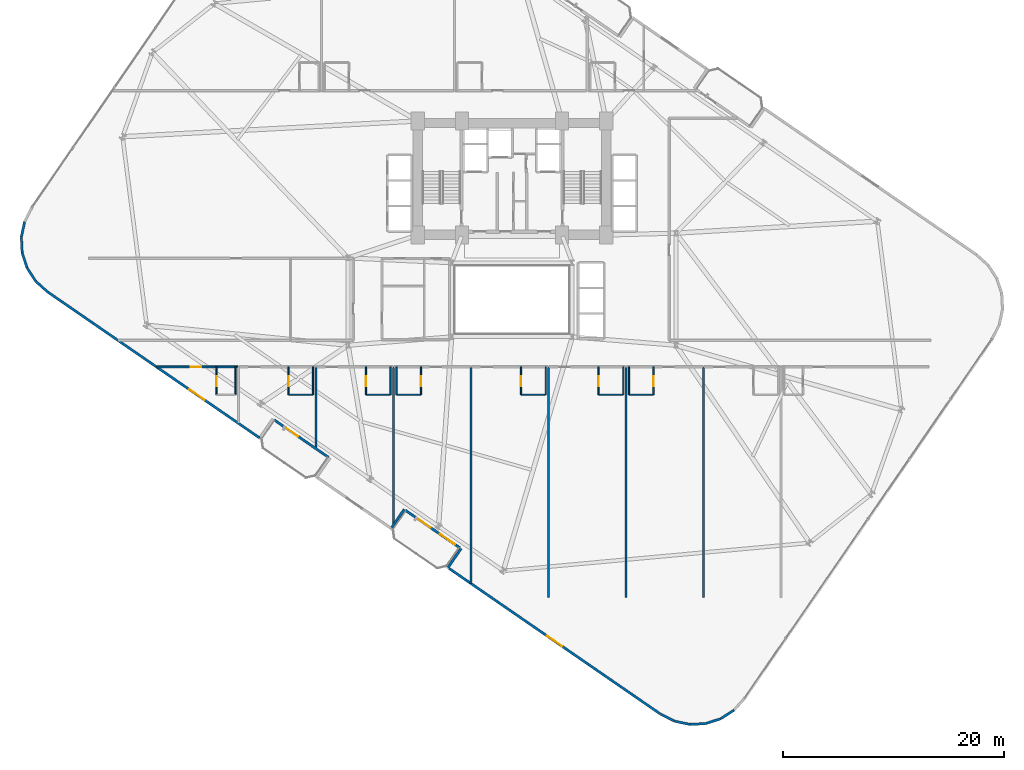
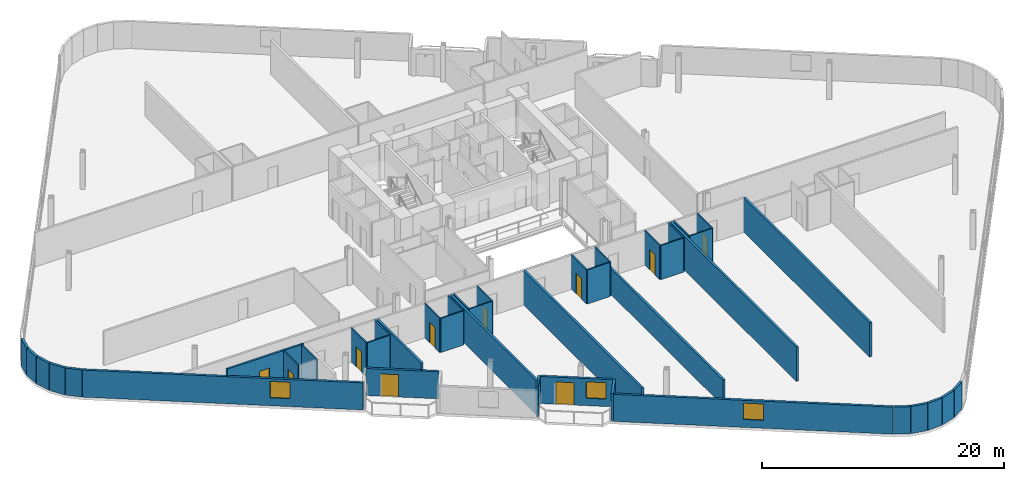
# One storey, part 17 of 25: 43 walls, 10 doors, 3 windows, 13 openings.
"""IFC4 building model written with IfcOpenShell, lengths in metres."""

from ifc_helpers import new_model, si_unit, direction, frame, frame_2d, origin, place, context, subcontext, project, spatial, rectangle, extrude, material, layer, layer_set, type_object, element, fill, save


model = new_model("IFC4")

# Units and contexts
model_context = context("Model", 3, precision=1e-05, world=origin(), true_north=direction((0.0, 1.0)))
body_context = subcontext(model_context, "Body", "Model", "MODEL_VIEW")
ifc_project = project(units=[si_unit("LENGTHUNIT", "METRE"), si_unit("AREAUNIT", "SQUARE_METRE"), si_unit("VOLUMEUNIT", "CUBIC_METRE"), si_unit("PLANEANGLEUNIT", "RADIAN"), si_unit("MASSUNIT", "GRAM", prefix="KILO")], contexts=[model_context])

# Site, building, storey
site_placement = place(None, origin())
site = spatial("IfcSite", under=ifc_project, at=site_placement, CompositionType="ELEMENT")
building_placement = place(site_placement, origin())
building = spatial("IfcBuilding", under=site, at=building_placement, Name="Varnelok Gate Tower", CompositionType="ELEMENT")
storey_placement = place(building_placement, frame((0.0, 0.0, 52.89990234375)))
storey = spatial("IfcBuildingStorey", under=building, at=storey_placement, Name="L12", CompositionType="ELEMENT", Elevation=52.89990234375)

# Wall, opening, door
ifc_material_1 = material(Name="Concrete C45/55", Category="concrete")
ifc_layer_1 = layer(ifc_material_1, 0.219970703125)
ifc_layer_set_1 = layer_set([ifc_layer_1], Name="Concrete C45/55")
wall_type_1 = type_object("IfcWallType", Name="EW-BALC-220", PredefinedType="SOLIDWALL", material=ifc_layer_set_1)
wall_1_placement = place(storey_placement, frame((22.642822265625, 8.667236328125, 0.0), z_axis=(0.0, 0.0, 1.0), x_axis=(-0.823534636215, 0.567265989598, 0.0)))
wall_1 = element("IfcWall", 1, at=wall_1_placement, inside=storey, type_object=wall_type_1, Name="L12 South Terrace Envelope Wall 1", PredefinedType="SOLIDWALL", context=body_context, shape_type="SweptSolid", body=[
    extrude(rectangle(XDim=6.0, YDim=0.219970703125, at=frame_2d((3.0, 0.0))), origin(), (0.0, 0.0, 1.0), 2.72998046875),
])
opening_1_placement = place(wall_1_placement, frame((3.360107421875, 0.0, 0.0)))
opening_1 = element("IfcOpeningElement", 2, at=opening_1_placement, cuts=wall_1, Name="Opening BD-1", PredefinedType="OPENING", context=body_context, shape_type="SweptSolid", body=[
    extrude(rectangle(XDim=1.5, YDim=2.25, at=frame_2d((0.75, 1.125))), frame((0.0, 0.119873046875, 0.0), z_axis=(0.0, -1.0, 0.0), x_axis=(1.0, 0.0, 0.0)), (0.0, 0.0, 1.0), 0.239990234375),
])
ifc_material_2 = material(Name="Anodized Aluminum Alloy 6063-T6", Category="aluminium")
door_type_1 = type_object("IfcDoorType", Name="DR-EXT-BALC1500", OperationType="NOTDEFINED", PredefinedType="DOOR", material=ifc_material_2)
door_1_placement = place(opening_1_placement, origin())
door_1 = element("IfcDoor", 3, at=door_1_placement, inside=storey, type_object=door_type_1, Name="L12 South Balcony Glazed Door 1", OperationType="SINGLE_SWING_RIGHT", OverallHeight=2.25, OverallWidth=1.5, PredefinedType="DOOR", context=body_context, shape_type="SweptSolid", body=[
    extrude(rectangle(XDim=1.5, YDim=2.25, at=frame_2d((0.75, 1.125))), frame((0.0, 0.02490234375, 0.0), z_axis=(0.0, -1.0, 0.0), x_axis=(1.0, 0.0, 0.0)), (0.0, 0.0, 1.0), 0.050048828125),
])
fill(opening_1, door_1)

# Wall, openings, door, window
wall_2_placement = place(storey_placement, frame((34.501708984375, 0.49853515625, 0.0), z_axis=(0.0, 0.0, 1.0), x_axis=(-0.823534636215, 0.567265989598, 0.0)))
wall_2 = element("IfcWall", 4, at=wall_2_placement, inside=storey, type_object=wall_type_1, Name="L12 South Terrace Envelope Wall 2", PredefinedType="SOLIDWALL", context=body_context, shape_type="SweptSolid", body=[
    extrude(rectangle(XDim=6.0, YDim=0.219970703125, at=frame_2d((3.0, 0.0))), origin(), (0.0, 0.0, 1.0), 2.72998046875),
])
opening_2_placement = place(wall_2_placement, frame((3.2119140625, 0.0, 0.0)))
opening_2 = element("IfcOpeningElement", 5, at=opening_2_placement, cuts=wall_2, Name="Opening BD-1", PredefinedType="OPENING", context=body_context, shape_type="SweptSolid", body=[
    extrude(rectangle(XDim=1.5, YDim=2.25, at=frame_2d((0.75, 1.125))), frame((0.0, 0.119873046875, 0.0), z_axis=(0.0, -1.0, 0.0), x_axis=(1.0, 0.0, 0.0)), (0.0, 0.0, 1.0), 0.239990234375),
])
opening_3_placement = place(wall_2_placement, frame((0.550048828125, 0.0, 0.75)))
opening_3 = element("IfcOpeningElement", 6, at=opening_3_placement, cuts=wall_2, Name="Opening WN3", PredefinedType="OPENING", context=body_context, shape_type="SweptSolid", body=[
    extrude(rectangle(XDim=1.64990234375, YDim=1.64990234375, at=frame_2d((0.824951171875, 0.824951171875))), frame((0.0, 0.119873046875, 0.0), z_axis=(0.0, -1.0, 0.0), x_axis=(1.0, 0.0, 0.0)), (0.0, 0.0, 1.0), 0.239990234375),
])
door_2_placement = place(opening_2_placement, origin())
door_2 = element("IfcDoor", 7, at=door_2_placement, inside=storey, type_object=door_type_1, Name="L12 South Balcony Glazed Door 2", OperationType="SINGLE_SWING_LEFT", OverallHeight=2.25, OverallWidth=1.5, PredefinedType="DOOR", context=body_context, shape_type="SweptSolid", body=[
    extrude(rectangle(XDim=1.5, YDim=2.25, at=frame_2d((0.75, 1.125))), frame((0.0, 0.02490234375, 0.0), z_axis=(0.0, -1.0, 0.0), x_axis=(1.0, 0.0, 0.0)), (0.0, 0.0, 1.0), 0.050048828125),
])
fill(opening_2, door_2)
ifc_material_3 = material(Name="Low-E Laminated Double Glazing IGU", Category="glass")
window_type = type_object("IfcWindowType", Name="WN-HTL-1650", PartitioningType="SINGLE_PANEL", PredefinedType="WINDOW", material=ifc_material_3)
window_1_placement = place(opening_3_placement, origin())
window_1 = element("IfcWindow", 8, at=window_1_placement, inside=storey, type_object=window_type, Name="L12 South Vision Window 2.1", OverallHeight=1.64990234375, OverallWidth=1.64990234375, PartitioningType="SINGLE_PANEL", PredefinedType="WINDOW", context=body_context, shape_type="SweptSolid", body=[
    extrude(rectangle(XDim=1.64990234375, YDim=1.64990234375, at=frame_2d((0.824951171875, 0.824951171875))), frame((0.0, 0.030029296875, 0.0), z_axis=(0.0, -1.0, 0.0), x_axis=(1.0, 0.0, 0.0)), (0.0, 0.0, 1.0), 0.06005859375),
])
fill(opening_3, window_1)

# Walls
for number, where, z_axis, x_axis, name in (
    (9, (-4.81396484375, 29.946533203125, 0.0), (0.0, 0.0, 1.0), (-0.208829011645, -0.977952168511, 0.0), "L12 Perimeter Facade Closure Wall 2"),
    (10, (-5.106201171875, 28.547119140625, 0.0), (0.0, 0.0, 1.0), (0.051254741739, -0.998685611917, 0.0), "L12 Perimeter Facade Closure Wall 3"),
    (11, (-5.026611328125, 27.1201171875, 0.0), (0.0, 0.0, 1.0), (0.308190297603, -0.95132472924, 0.0), "L12 Perimeter Facade Closure Wall 4"),
    (12, (-4.580078125, 25.76220703125, 0.0), (0.0, 0.0, 1.0), (0.543748195851, -0.839248413468, 0.0), "L12 Perimeter Facade Closure Wall 5"),
):
    element("IfcWall", number, at=place(storey_placement, frame(where, z_axis=z_axis, x_axis=x_axis)), inside=storey, type_object=wall_type_1, Name=name, PredefinedType="SOLIDWALL", context=body_context, shape_type="SweptSolid", body=[
        extrude(rectangle(XDim=1.4052734375, YDim=0.219970703125, at=frame_2d((0.70263671875, 0.0))), origin(), (0.0, 0.0, 1.0), 2.72998046875),
    ])
wall_3_placement = place(storey_placement, frame((-3.79736328125, 24.56591796875, 0.0), z_axis=(0.0, 0.0, 1.0), x_axis=(0.742537711837, -0.66980425984, 0.0)))
element("IfcWall", 13, at=wall_3_placement, inside=storey, type_object=wall_type_1, Name="L12 Perimeter Facade Closure Wall 6", PredefinedType="SOLIDWALL", context=body_context, shape_type="SweptSolid", body=[
    extrude(rectangle(XDim=1.4130859375, YDim=0.219970703125, at=frame_2d((0.70654296875, 0.0))), origin(), (0.0, 0.0, 1.0), 2.72998046875),
])

# Wall, opening, window
wall_4_placement = place(storey_placement, frame((-2.7275390625, 23.60498046875, 0.0), z_axis=(0.0, 0.0, 1.0), x_axis=(0.823535075462, -0.567265351915, 0.0)))
wall_4 = element("IfcWall", 14, at=wall_4_placement, inside=storey, type_object=wall_type_1, Name="L12 Perimeter Facade Closure Wall 7", PredefinedType="SOLIDWALL", context=body_context, shape_type="SweptSolid", body=[
    extrude(rectangle(XDim=23.2470703125, YDim=0.219970703125, at=frame_2d((11.62353515625, 0.0))), origin(), (0.0, 0.0, 1.0), 2.72998046875),
])
opening_4_placement = place(wall_4_placement, frame((15.550048828125, 0.0, 0.800048828125)))
opening_4 = element("IfcOpeningElement", 15, at=opening_4_placement, cuts=wall_4, Name="Opening WN3", PredefinedType="OPENING", context=body_context, shape_type="SweptSolid", body=[
    extrude(rectangle(XDim=1.64990234375, YDim=1.64990234375, at=frame_2d((0.824951171875, 0.824951171875))), frame((0.0, 0.119873046875, 0.0), z_axis=(0.0, -1.0, 0.0), x_axis=(1.0, 0.0, 0.0)), (0.0, 0.0, 1.0), 0.239990234375),
])
window_2_placement = place(opening_4_placement, origin())
window_2 = element("IfcWindow", 16, at=window_2_placement, inside=storey, type_object=window_type, Name="L12 Perimeter Vision Window 7", OverallHeight=1.64990234375, OverallWidth=1.64990234375, PartitioningType="SINGLE_PANEL", PredefinedType="WINDOW", context=body_context, shape_type="SweptSolid", body=[
    extrude(rectangle(XDim=1.64990234375, YDim=1.64990234375, at=frame_2d((0.824951171875, 0.824951171875))), frame((0.0, 0.030029296875, 0.0), z_axis=(0.0, -1.0, 0.0), x_axis=(1.0, 0.0, 0.0)), (0.0, 0.0, 1.0), 0.06005859375),
])
fill(opening_4, window_2)

# Walls
wall_5_placement = place(storey_placement, frame((28.34716796875, 2.351806640625, 0.0), z_axis=(0.0, 0.0, 1.0), x_axis=(0.567215821234, 0.823569190865, 0.0)))
element("IfcWall", 17, at=wall_5_placement, inside=storey, type_object=wall_type_1, Name="L12 Perimeter Facade Closure Wall 11", PredefinedType="SOLIDWALL", context=body_context, shape_type="SweptSolid", body=[
    extrude(rectangle(XDim=1.97509765625, YDim=0.219970703125, at=frame_2d((0.987548828125, 0.0))), origin(), (0.0, 0.0, 1.0), 2.72998046875),
])
wall_6_placement = place(storey_placement, frame((34.606201171875, 0.438720703125, 0.0), z_axis=(0.0, 0.0, 1.0), x_axis=(-0.567219383419, -0.823566737474, 0.0)))
element("IfcWall", 18, at=wall_6_placement, inside=storey, type_object=wall_type_1, Name="L12 Perimeter Facade Closure Wall 12", PredefinedType="SOLIDWALL", context=body_context, shape_type="SweptSolid", body=[
    extrude(rectangle(XDim=2.10009765625, YDim=0.219970703125, at=frame_2d((1.050048828125, 0.0))), origin(), (0.0, 0.0, 1.0), 2.72998046875),
])

# Wall, opening, window
wall_7_placement = place(storey_placement, frame((33.517822265625, -1.36181640625, 0.0), z_axis=(0.0, 0.0, 1.0), x_axis=(0.82353935489, -0.567259139148, 0.0)))
wall_7 = element("IfcWall", 19, at=wall_7_placement, inside=storey, type_object=wall_type_1, Name="L12 Perimeter Facade Closure Wall 13", PredefinedType="SOLIDWALL", context=body_context, shape_type="SweptSolid", body=[
    extrude(rectangle(XDim=23.14697265625, YDim=0.219970703125, at=frame_2d((11.573486328125, 0.0))), origin(), (0.0, 0.0, 1.0), 2.72998046875),
])
opening_5_placement = place(wall_7_placement, frame((10.74853515625, 0.0, 0.800048828125)))
opening_5 = element("IfcOpeningElement", 20, at=opening_5_placement, cuts=wall_7, Name="Opening WN3", PredefinedType="OPENING", context=body_context, shape_type="SweptSolid", body=[
    extrude(rectangle(XDim=1.64990234375, YDim=1.64990234375, at=frame_2d((0.824951171875, 0.824951171875))), frame((0.0, 0.119873046875, 0.0), z_axis=(0.0, -1.0, 0.0), x_axis=(1.0, 0.0, 0.0)), (0.0, 0.0, 1.0), 0.239990234375),
])
window_3_placement = place(opening_5_placement, origin())
window_3 = element("IfcWindow", 21, at=window_3_placement, inside=storey, type_object=window_type, Name="L12 Perimeter Vision Window 13", OverallHeight=1.64990234375, OverallWidth=1.64990234375, PartitioningType="SINGLE_PANEL", PredefinedType="WINDOW", context=body_context, shape_type="SweptSolid", body=[
    extrude(rectangle(XDim=1.64990234375, YDim=1.64990234375, at=frame_2d((0.824951171875, 0.824951171875))), frame((0.0, 0.030029296875, 0.0), z_axis=(0.0, -1.0, 0.0), x_axis=(1.0, 0.0, 0.0)), (0.0, 0.0, 1.0), 0.06005859375),
])
fill(opening_5, window_3)

# Walls
wall_8_placement = place(storey_placement, frame((52.602783203125, -14.503662109375, 0.0), z_axis=(0.0, 0.0, 1.0), x_axis=(0.89052335693, -0.45493752402, 0.0)))
element("IfcWall", 22, at=wall_8_placement, inside=storey, type_object=wall_type_1, Name="L12 Perimeter Facade Closure Wall 14", PredefinedType="SOLIDWALL", context=body_context, shape_type="SweptSolid", body=[
    extrude(rectangle(XDim=1.4130859375, YDim=0.219970703125, at=frame_2d((0.70654296875, 0.0))), origin(), (0.0, 0.0, 1.0), 2.72998046875),
])
for number, where, z_axis, x_axis, name in (
    (23, (53.8857421875, -15.15185546875, 0.0), (0.0, 0.0, 1.0), (0.977952168511, -0.208829011645, 0.0), "L12 Perimeter Facade Closure Wall 15"),
    (24, (55.284912109375, -15.444091796875, 0.0), (0.0, 0.0, 1.0), (0.998685611917, 0.051254741739, 0.0), "L12 Perimeter Facade Closure Wall 16"),
    (25, (56.712158203125, -15.364501953125, 0.0), (0.0, 0.0, 1.0), (0.95132472924, 0.308190297603, 0.0), "L12 Perimeter Facade Closure Wall 17"),
    (26, (58.070068359375, -14.91796875, 0.0), (0.0, 0.0, 1.0), (0.839248413468, 0.543748195851, 0.0), "L12 Perimeter Facade Closure Wall 18"),
):
    element("IfcWall", number, at=place(storey_placement, frame(where, z_axis=z_axis, x_axis=x_axis)), inside=storey, type_object=wall_type_1, Name=name, PredefinedType="SOLIDWALL", context=body_context, shape_type="SweptSolid", body=[
        extrude(rectangle(XDim=1.4052734375, YDim=0.219970703125, at=frame_2d((0.70263671875, 0.0))), origin(), (0.0, 0.0, 1.0), 2.72998046875),
    ])

# Wall, opening, door
ifc_material_4 = material(Name="Gypsum Plasterboard Acoustic Partition", Category="gypsum")
ifc_layer_2 = layer(ifc_material_4, 0.179931640625)
ifc_layer_set_2 = layer_set([ifc_layer_2], Name="Gypsum Plasterboard Acoustic Partition")
wall_type_2 = type_object("IfcWallType", Name="PW-CORR-180", PredefinedType="PARTITIONING", material=ifc_layer_set_2)
wall_9_placement = place(storey_placement, frame((7.114501953125, 16.85009765625, 0.0), z_axis=(0.0, 0.0, 1.0), x_axis=(1.0, 0.0, 0.0)))
wall_9 = element("IfcWall", 27, at=wall_9_placement, inside=storey, type_object=wall_type_2, Name="Interior Partition", PredefinedType="PARTITIONING", context=body_context, shape_type="SweptSolid", body=[
    extrude(rectangle(XDim=7.305419921875, YDim=0.179931640625, at=frame_2d((3.65283203125, 0.0))), origin(), (0.0, 0.0, 1.0), 3.4501953125),
])
opening_6_placement = place(wall_9_placement, frame((3.065673828125, 0.0, 0.0)))
opening_6 = element("IfcOpeningElement", 28, at=opening_6_placement, cuts=wall_9, Name="Opening D-HT", PredefinedType="OPENING", context=body_context, shape_type="SweptSolid", body=[
    extrude(rectangle(XDim=0.949951171875, YDim=2.14990234375, at=frame_2d((0.47509765625, 1.074951171875))), frame((0.0, 0.099853515625, 0.0), z_axis=(0.0, -1.0, 0.0), x_axis=(1.0, 0.0, 0.0)), (0.0, 0.0, 1.0), 0.199951171875),
])
ifc_material_5 = material(Name="Engineered Hardwood Timber", Category="wood")
door_type_2 = type_object("IfcDoorType", Name="DR-HTL-950", OperationType="NOTDEFINED", PredefinedType="DOOR", material=ifc_material_5)
door_3_placement = place(opening_6_placement, origin())
door_3 = element("IfcDoor", 29, at=door_3_placement, inside=storey, type_object=door_type_2, Name="L12 Guest Room 01 Entrance Door", OperationType="SINGLE_SWING_RIGHT", OverallHeight=2.14990234375, OverallWidth=0.949951171875, PredefinedType="DOOR", context=body_context, shape_type="SweptSolid", body=[
    extrude(rectangle(XDim=0.949951171875, YDim=2.14990234375, at=frame_2d((0.47509765625, 1.074951171875))), frame((0.0, 0.02490234375, 0.0), z_axis=(0.0, -1.0, 0.0), x_axis=(1.0, 0.0, 0.0)), (0.0, 0.0, 1.0), 0.050048828125),
])
fill(opening_6, door_3)

ifc_layer_3 = layer(ifc_material_4, 0.114990234375)
ifc_layer_set_3 = layer_set([ifc_layer_3], Name="Gypsum Plasterboard Acoustic Partition")
wall_type_3 = type_object("IfcWallType", Name="PW-ENS-125", PredefinedType="PARTITIONING", material=ifc_layer_set_3)
wall_10_placement = place(storey_placement, frame((12.510009765625, 14.330078125, 0.0), z_axis=(0.0, 0.0, 1.0), x_axis=(0.0, 1.0, 0.0)))
wall_10 = element("IfcWall", 30, at=wall_10_placement, inside=storey, type_object=wall_type_3, Name="Interior Partition", PredefinedType="PARTITIONING", context=body_context, shape_type="SweptSolid", body=[
    extrude(rectangle(XDim=2.52001953125, YDim=0.114990234375, at=frame_2d((1.260009765625, 0.0))), origin(), (0.0, 0.0, 1.0), 3.4501953125),
])
opening_7_placement = place(wall_10_placement, frame((0.760009765625, 0.0, 0.0)))
opening_7 = element("IfcOpeningElement", 31, at=opening_7_placement, cuts=wall_10, Name="Opening D-WC", PredefinedType="OPENING", context=body_context, shape_type="SweptSolid", body=[
    extrude(rectangle(XDim=0.89990234375, YDim=2.050048828125, at=frame_2d((0.449951171875, 1.02490234375))), frame((0.0, 0.0673828125, 0.0), z_axis=(0.0, -1.0, 0.0), x_axis=(1.0, 0.0, 0.0)), (0.0, 0.0, 1.0), 0.135009765625),
])
door_type_3 = type_object("IfcDoorType", Name="DR-BATH-900", OperationType="NOTDEFINED", PredefinedType="DOOR", material=ifc_material_5)
door_4_placement = place(opening_7_placement, origin())
door_4 = element("IfcDoor", 32, at=door_4_placement, inside=storey, type_object=door_type_3, Name="L12 Guest En-Suite 01 Door", OperationType="SINGLE_SWING_RIGHT", OverallHeight=2.050048828125, OverallWidth=0.89990234375, PredefinedType="DOOR", context=body_context, shape_type="SweptSolid", body=[
    extrude(rectangle(XDim=0.89990234375, YDim=2.050048828125, at=frame_2d((0.449951171875, 1.02490234375))), frame((0.0, 0.02490234375, 0.0), z_axis=(0.0, -1.0, 0.0), x_axis=(1.0, 0.0, 0.0)), (0.0, 0.0, 1.0), 0.050048828125),
])
fill(opening_7, door_4)

# Walls
wall_11_placement = place(storey_placement, frame((14.239990234375, 14.330078125, 0.0), z_axis=(0.0, 0.0, 1.0), x_axis=(0.0, 1.0, 0.0)))
element("IfcWall", 33, at=wall_11_placement, inside=storey, type_object=wall_type_3, Name="Interior Partition", PredefinedType="PARTITIONING", context=body_context, shape_type="SweptSolid", body=[
    extrude(rectangle(XDim=2.52001953125, YDim=0.114990234375, at=frame_2d((1.260009765625, 0.0))), origin(), (0.0, 0.0, 1.0), 3.4501953125),
])
wall_12_placement = place(storey_placement, frame((19.050048828125, 14.330078125, 0.0), z_axis=(0.0, 0.0, 1.0), x_axis=(1.0, 0.0, 0.0)))
element("IfcWall", 34, at=wall_12_placement, inside=storey, type_object=wall_type_3, Name="Interior Partition", PredefinedType="PARTITIONING", context=body_context, shape_type="SweptSolid", body=[
    extrude(rectangle(XDim=2.14990234375, YDim=0.114990234375, at=frame_2d((1.074951171875, 0.0))), origin(), (0.0, 0.0, 1.0), 3.4501953125),
])

# Wall, opening, door
wall_13_placement = place(storey_placement, frame((19.010009765625, 14.330078125, 0.0), z_axis=(0.0, 0.0, 1.0), x_axis=(0.0, 1.0, 0.0)))
wall_13 = element("IfcWall", 35, at=wall_13_placement, inside=storey, type_object=wall_type_3, Name="Interior Partition", PredefinedType="PARTITIONING", context=body_context, shape_type="SweptSolid", body=[
    extrude(rectangle(XDim=2.52001953125, YDim=0.114990234375, at=frame_2d((1.260009765625, 0.0))), origin(), (0.0, 0.0, 1.0), 3.4501953125),
])
opening_8_placement = place(wall_13_placement, frame((0.760009765625, 0.0, 0.0)))
opening_8 = element("IfcOpeningElement", 36, at=opening_8_placement, cuts=wall_13, Name="Opening D-WC", PredefinedType="OPENING", context=body_context, shape_type="SweptSolid", body=[
    extrude(rectangle(XDim=0.89990234375, YDim=2.050048828125, at=frame_2d((0.449951171875, 1.02490234375))), frame((0.0, 0.0673828125, 0.0), z_axis=(0.0, -1.0, 0.0), x_axis=(1.0, 0.0, 0.0)), (0.0, 0.0, 1.0), 0.135009765625),
])
door_5_placement = place(opening_8_placement, origin())
door_5 = element("IfcDoor", 37, at=door_5_placement, inside=storey, type_object=door_type_3, Name="L12 Guest En-Suite 02 Door", OperationType="SINGLE_SWING_RIGHT", OverallHeight=2.050048828125, OverallWidth=0.89990234375, PredefinedType="DOOR", context=body_context, shape_type="SweptSolid", body=[
    extrude(rectangle(XDim=0.89990234375, YDim=2.050048828125, at=frame_2d((0.449951171875, 1.02490234375))), frame((0.0, 0.02490234375, 0.0), z_axis=(0.0, -1.0, 0.0), x_axis=(1.0, 0.0, 0.0)), (0.0, 0.0, 1.0), 0.050048828125),
])
fill(opening_8, door_5)

# Walls
wall_14_placement = place(storey_placement, frame((21.239990234375, 14.330078125, 0.0), z_axis=(0.0, 0.0, 1.0), x_axis=(0.0, 1.0, 0.0)))
element("IfcWall", 38, at=wall_14_placement, inside=storey, type_object=wall_type_3, Name="Interior Partition", PredefinedType="PARTITIONING", context=body_context, shape_type="SweptSolid", body=[
    extrude(rectangle(XDim=2.52001953125, YDim=0.114990234375, at=frame_2d((1.260009765625, 0.0))), origin(), (0.0, 0.0, 1.0), 3.4501953125),
])
wall_15_placement = place(storey_placement, frame((26.050048828125, 14.330078125, 0.0), z_axis=(0.0, 0.0, 1.0), x_axis=(1.0, 0.0, 0.0)))
element("IfcWall", 39, at=wall_15_placement, inside=storey, type_object=wall_type_3, Name="Interior Partition", PredefinedType="PARTITIONING", context=body_context, shape_type="SweptSolid", body=[
    extrude(rectangle(XDim=2.14990234375, YDim=0.114990234375, at=frame_2d((1.074951171875, 0.0))), origin(), (0.0, 0.0, 1.0), 3.4501953125),
])

# Wall, opening, door
wall_16_placement = place(storey_placement, frame((26.010009765625, 14.330078125, 0.0), z_axis=(0.0, 0.0, 1.0), x_axis=(0.0, 1.0, 0.0)))
wall_16 = element("IfcWall", 40, at=wall_16_placement, inside=storey, type_object=wall_type_3, Name="Interior Partition", PredefinedType="PARTITIONING", context=body_context, shape_type="SweptSolid", body=[
    extrude(rectangle(XDim=2.52001953125, YDim=0.114990234375, at=frame_2d((1.260009765625, 0.0))), origin(), (0.0, 0.0, 1.0), 3.4501953125),
])
opening_9_placement = place(wall_16_placement, frame((0.760009765625, 0.0, 0.0)))
opening_9 = element("IfcOpeningElement", 41, at=opening_9_placement, cuts=wall_16, Name="Opening D-WC", PredefinedType="OPENING", context=body_context, shape_type="SweptSolid", body=[
    extrude(rectangle(XDim=0.89990234375, YDim=2.050048828125, at=frame_2d((0.449951171875, 1.02490234375))), frame((0.0, 0.0673828125, 0.0), z_axis=(0.0, -1.0, 0.0), x_axis=(1.0, 0.0, 0.0)), (0.0, 0.0, 1.0), 0.135009765625),
])
door_6_placement = place(opening_9_placement, origin())
door_6 = element("IfcDoor", 42, at=door_6_placement, inside=storey, type_object=door_type_3, Name="L12 Guest En-Suite 03 Door", OperationType="SINGLE_SWING_RIGHT", OverallHeight=2.050048828125, OverallWidth=0.89990234375, PredefinedType="DOOR", context=body_context, shape_type="SweptSolid", body=[
    extrude(rectangle(XDim=0.89990234375, YDim=2.050048828125, at=frame_2d((0.449951171875, 1.02490234375))), frame((0.0, 0.02490234375, 0.0), z_axis=(0.0, -1.0, 0.0), x_axis=(1.0, 0.0, 0.0)), (0.0, 0.0, 1.0), 0.050048828125),
])
fill(opening_9, door_6)

# Walls
wall_17_placement = place(storey_placement, frame((28.239990234375, 14.330078125, 0.0), z_axis=(0.0, 0.0, 1.0), x_axis=(0.0, 1.0, 0.0)))
element("IfcWall", 43, at=wall_17_placement, inside=storey, type_object=wall_type_3, Name="Interior Partition", PredefinedType="PARTITIONING", context=body_context, shape_type="SweptSolid", body=[
    extrude(rectangle(XDim=2.52001953125, YDim=0.114990234375, at=frame_2d((1.260009765625, 0.0))), origin(), (0.0, 0.0, 1.0), 3.4501953125),
])
wall_18_placement = place(storey_placement, frame((28.800048828125, 14.330078125, 0.0), z_axis=(0.0, 0.0, 1.0), x_axis=(1.0, 0.0, 0.0)))
element("IfcWall", 44, at=wall_18_placement, inside=storey, type_object=wall_type_3, Name="Interior Partition", PredefinedType="PARTITIONING", context=body_context, shape_type="SweptSolid", body=[
    extrude(rectangle(XDim=2.14990234375, YDim=0.114990234375, at=frame_2d((1.074951171875, 0.0))), origin(), (0.0, 0.0, 1.0), 3.4501953125),
])

# Wall, opening, door
wall_19_placement = place(storey_placement, frame((30.989990234375, 14.330078125, 0.0), z_axis=(0.0, 0.0, 1.0), x_axis=(0.0, 1.0, 0.0)))
wall_19 = element("IfcWall", 45, at=wall_19_placement, inside=storey, type_object=wall_type_3, Name="Interior Partition", PredefinedType="PARTITIONING", context=body_context, shape_type="SweptSolid", body=[
    extrude(rectangle(XDim=2.52001953125, YDim=0.114990234375, at=frame_2d((1.260009765625, 0.0))), origin(), (0.0, 0.0, 1.0), 3.4501953125),
])
opening_10_placement = place(wall_19_placement, frame((0.760009765625, 0.0, 0.0)))
opening_10 = element("IfcOpeningElement", 46, at=opening_10_placement, cuts=wall_19, Name="Opening D-WC", PredefinedType="OPENING", context=body_context, shape_type="SweptSolid", body=[
    extrude(rectangle(XDim=0.89990234375, YDim=2.050048828125, at=frame_2d((0.449951171875, 1.02490234375))), frame((0.0, 0.0673828125, 0.0), z_axis=(0.0, -1.0, 0.0), x_axis=(1.0, 0.0, 0.0)), (0.0, 0.0, 1.0), 0.135009765625),
])
door_7_placement = place(opening_10_placement, origin())
door_7 = element("IfcDoor", 47, at=door_7_placement, inside=storey, type_object=door_type_3, Name="L12 Guest En-Suite 04 Door", OperationType="SINGLE_SWING_LEFT", OverallHeight=2.050048828125, OverallWidth=0.89990234375, PredefinedType="DOOR", context=body_context, shape_type="SweptSolid", body=[
    extrude(rectangle(XDim=0.89990234375, YDim=2.050048828125, at=frame_2d((0.449951171875, 1.02490234375))), frame((0.0, 0.02490234375, 0.0), z_axis=(0.0, -1.0, 0.0), x_axis=(1.0, 0.0, 0.0)), (0.0, 0.0, 1.0), 0.050048828125),
])
fill(opening_10, door_7)

# Walls
wall_20_placement = place(storey_placement, frame((28.760009765625, 14.330078125, 0.0), z_axis=(0.0, 0.0, 1.0), x_axis=(0.0, 1.0, 0.0)))
element("IfcWall", 48, at=wall_20_placement, inside=storey, type_object=wall_type_3, Name="Interior Partition", PredefinedType="PARTITIONING", context=body_context, shape_type="SweptSolid", body=[
    extrude(rectangle(XDim=2.52001953125, YDim=0.114990234375, at=frame_2d((1.260009765625, 0.0))), origin(), (0.0, 0.0, 1.0), 3.4501953125),
])
wall_21_placement = place(storey_placement, frame((40.050048828125, 14.330078125, 0.0), z_axis=(0.0, 0.0, 1.0), x_axis=(1.0, 0.0, 0.0)))
element("IfcWall", 49, at=wall_21_placement, inside=storey, type_object=wall_type_3, Name="Interior Partition", PredefinedType="PARTITIONING", context=body_context, shape_type="SweptSolid", body=[
    extrude(rectangle(XDim=2.14990234375, YDim=0.114990234375, at=frame_2d((1.074951171875, 0.0))), origin(), (0.0, 0.0, 1.0), 3.4501953125),
])

# Wall, opening, door
wall_22_placement = place(storey_placement, frame((40.010009765625, 14.330078125, 0.0), z_axis=(0.0, 0.0, 1.0), x_axis=(0.0, 1.0, 0.0)))
wall_22 = element("IfcWall", 50, at=wall_22_placement, inside=storey, type_object=wall_type_3, Name="Interior Partition", PredefinedType="PARTITIONING", context=body_context, shape_type="SweptSolid", body=[
    extrude(rectangle(XDim=2.52001953125, YDim=0.114990234375, at=frame_2d((1.260009765625, 0.0))), origin(), (0.0, 0.0, 1.0), 3.4501953125),
])
opening_11_placement = place(wall_22_placement, frame((0.760009765625, 0.0, 0.0)))
opening_11 = element("IfcOpeningElement", 51, at=opening_11_placement, cuts=wall_22, Name="Opening D-WC", PredefinedType="OPENING", context=body_context, shape_type="SweptSolid", body=[
    extrude(rectangle(XDim=0.89990234375, YDim=2.050048828125, at=frame_2d((0.449951171875, 1.02490234375))), frame((0.0, 0.0673828125, 0.0), z_axis=(0.0, -1.0, 0.0), x_axis=(1.0, 0.0, 0.0)), (0.0, 0.0, 1.0), 0.135009765625),
])
door_8_placement = place(opening_11_placement, origin())
door_8 = element("IfcDoor", 52, at=door_8_placement, inside=storey, type_object=door_type_3, Name="L12 Guest En-Suite 05 Door", OperationType="SINGLE_SWING_RIGHT", OverallHeight=2.050048828125, OverallWidth=0.89990234375, PredefinedType="DOOR", context=body_context, shape_type="SweptSolid", body=[
    extrude(rectangle(XDim=0.89990234375, YDim=2.050048828125, at=frame_2d((0.449951171875, 1.02490234375))), frame((0.0, 0.02490234375, 0.0), z_axis=(0.0, -1.0, 0.0), x_axis=(1.0, 0.0, 0.0)), (0.0, 0.0, 1.0), 0.050048828125),
])
fill(opening_11, door_8)

# Walls
wall_23_placement = place(storey_placement, frame((42.239990234375, 14.330078125, 0.0), z_axis=(0.0, 0.0, 1.0), x_axis=(0.0, 1.0, 0.0)))
element("IfcWall", 53, at=wall_23_placement, inside=storey, type_object=wall_type_3, Name="Interior Partition", PredefinedType="PARTITIONING", context=body_context, shape_type="SweptSolid", body=[
    extrude(rectangle(XDim=2.52001953125, YDim=0.114990234375, at=frame_2d((1.260009765625, 0.0))), origin(), (0.0, 0.0, 1.0), 3.4501953125),
])
wall_24_placement = place(storey_placement, frame((47.050048828125, 14.330078125, 0.0), z_axis=(0.0, 0.0, 1.0), x_axis=(1.0, 0.0, 0.0)))
element("IfcWall", 54, at=wall_24_placement, inside=storey, type_object=wall_type_3, Name="Interior Partition", PredefinedType="PARTITIONING", context=body_context, shape_type="SweptSolid", body=[
    extrude(rectangle(XDim=2.14990234375, YDim=0.114990234375, at=frame_2d((1.074951171875, 0.0))), origin(), (0.0, 0.0, 1.0), 3.4501953125),
])

# Wall, opening, door
wall_25_placement = place(storey_placement, frame((47.010009765625, 14.330078125, 0.0), z_axis=(0.0, 0.0, 1.0), x_axis=(0.0, 1.0, 0.0)))
wall_25 = element("IfcWall", 55, at=wall_25_placement, inside=storey, type_object=wall_type_3, Name="Interior Partition", PredefinedType="PARTITIONING", context=body_context, shape_type="SweptSolid", body=[
    extrude(rectangle(XDim=2.52001953125, YDim=0.114990234375, at=frame_2d((1.260009765625, 0.0))), origin(), (0.0, 0.0, 1.0), 3.4501953125),
])
opening_12_placement = place(wall_25_placement, frame((0.760009765625, 0.0, 0.0)))
opening_12 = element("IfcOpeningElement", 56, at=opening_12_placement, cuts=wall_25, Name="Opening D-WC", PredefinedType="OPENING", context=body_context, shape_type="SweptSolid", body=[
    extrude(rectangle(XDim=0.89990234375, YDim=2.050048828125, at=frame_2d((0.449951171875, 1.02490234375))), frame((0.0, 0.0673828125, 0.0), z_axis=(0.0, -1.0, 0.0), x_axis=(1.0, 0.0, 0.0)), (0.0, 0.0, 1.0), 0.135009765625),
])
door_9_placement = place(opening_12_placement, origin())
door_9 = element("IfcDoor", 57, at=door_9_placement, inside=storey, type_object=door_type_3, Name="L12 Guest En-Suite 06 Door", OperationType="SINGLE_SWING_RIGHT", OverallHeight=2.050048828125, OverallWidth=0.89990234375, PredefinedType="DOOR", context=body_context, shape_type="SweptSolid", body=[
    extrude(rectangle(XDim=0.89990234375, YDim=2.050048828125, at=frame_2d((0.449951171875, 1.02490234375))), frame((0.0, 0.02490234375, 0.0), z_axis=(0.0, -1.0, 0.0), x_axis=(1.0, 0.0, 0.0)), (0.0, 0.0, 1.0), 0.050048828125),
])
fill(opening_12, door_9)

# Walls
wall_26_placement = place(storey_placement, frame((49.239990234375, 14.330078125, 0.0), z_axis=(0.0, 0.0, 1.0), x_axis=(0.0, 1.0, 0.0)))
element("IfcWall", 58, at=wall_26_placement, inside=storey, type_object=wall_type_3, Name="Interior Partition", PredefinedType="PARTITIONING", context=body_context, shape_type="SweptSolid", body=[
    extrude(rectangle(XDim=2.52001953125, YDim=0.114990234375, at=frame_2d((1.260009765625, 0.0))), origin(), (0.0, 0.0, 1.0), 3.4501953125),
])
wall_27_placement = place(storey_placement, frame((49.800048828125, 14.330078125, 0.0), z_axis=(0.0, 0.0, 1.0), x_axis=(1.0, 0.0, 0.0)))
element("IfcWall", 59, at=wall_27_placement, inside=storey, type_object=wall_type_3, Name="Interior Partition", PredefinedType="PARTITIONING", context=body_context, shape_type="SweptSolid", body=[
    extrude(rectangle(XDim=2.14990234375, YDim=0.114990234375, at=frame_2d((1.074951171875, 0.0))), origin(), (0.0, 0.0, 1.0), 3.4501953125),
])

# Wall, opening, door
wall_28_placement = place(storey_placement, frame((51.989990234375, 14.330078125, 0.0), z_axis=(0.0, 0.0, 1.0), x_axis=(0.0, 1.0, 0.0)))
wall_28 = element("IfcWall", 60, at=wall_28_placement, inside=storey, type_object=wall_type_3, Name="Interior Partition", PredefinedType="PARTITIONING", context=body_context, shape_type="SweptSolid", body=[
    extrude(rectangle(XDim=2.52001953125, YDim=0.114990234375, at=frame_2d((1.260009765625, 0.0))), origin(), (0.0, 0.0, 1.0), 3.4501953125),
])
opening_13_placement = place(wall_28_placement, frame((0.760009765625, 0.0, 0.0)))
opening_13 = element("IfcOpeningElement", 61, at=opening_13_placement, cuts=wall_28, Name="Opening D-WC", PredefinedType="OPENING", context=body_context, shape_type="SweptSolid", body=[
    extrude(rectangle(XDim=0.89990234375, YDim=2.050048828125, at=frame_2d((0.449951171875, 1.02490234375))), frame((0.0, 0.0673828125, 0.0), z_axis=(0.0, -1.0, 0.0), x_axis=(1.0, 0.0, 0.0)), (0.0, 0.0, 1.0), 0.135009765625),
])
door_10_placement = place(opening_13_placement, origin())
door_10 = element("IfcDoor", 62, at=door_10_placement, inside=storey, type_object=door_type_3, Name="L12 Guest En-Suite 07 Door", OperationType="SINGLE_SWING_LEFT", OverallHeight=2.050048828125, OverallWidth=0.89990234375, PredefinedType="DOOR", context=body_context, shape_type="SweptSolid", body=[
    extrude(rectangle(XDim=0.89990234375, YDim=2.050048828125, at=frame_2d((0.449951171875, 1.02490234375))), frame((0.0, 0.02490234375, 0.0), z_axis=(0.0, -1.0, 0.0), x_axis=(1.0, 0.0, 0.0)), (0.0, 0.0, 1.0), 0.050048828125),
])
fill(opening_13, door_10)

# Walls
wall_29_placement = place(storey_placement, frame((49.760009765625, 14.330078125, 0.0), z_axis=(0.0, 0.0, 1.0), x_axis=(0.0, 1.0, 0.0)))
element("IfcWall", 63, at=wall_29_placement, inside=storey, type_object=wall_type_3, Name="Interior Partition", PredefinedType="PARTITIONING", context=body_context, shape_type="SweptSolid", body=[
    extrude(rectangle(XDim=2.52001953125, YDim=0.114990234375, at=frame_2d((1.260009765625, 0.0))), origin(), (0.0, 0.0, 1.0), 3.4501953125),
])
ifc_layer_4 = layer(ifc_material_4, 0.205078125)
ifc_layer_set_4 = layer_set([ifc_layer_4], Name="Gypsum Plasterboard Acoustic Partition")
wall_type_4 = type_object("IfcWallType", Name="PW-PARTY-200", PredefinedType="PARTITIONING", material=ifc_layer_set_4)
wall_30_placement = place(storey_placement, frame((21.5, 9.490966796875, 0.0), z_axis=(0.0, 0.0, 1.0), x_axis=(0.0, 1.0, 0.0)))
element("IfcWall", 64, at=wall_30_placement, inside=storey, type_object=wall_type_4, Name="L12 South Party Wall 2", PredefinedType="PARTITIONING", context=body_context, shape_type="SweptSolid", body=[
    extrude(rectangle(XDim=7.359130859375, YDim=0.205078125, at=frame_2d((3.6796875, 0.0))), origin(), (0.0, 0.0, 1.0), 3.4501953125),
])
wall_31_placement = place(storey_placement, frame((28.5, 2.609130859375, 0.0), z_axis=(0.0, 0.0, 1.0), x_axis=(0.0, 1.0, 0.0)))
element("IfcWall", 65, at=wall_31_placement, inside=storey, type_object=wall_type_4, Name="L12 South Party Wall 3", PredefinedType="PARTITIONING", context=body_context, shape_type="SweptSolid", body=[
    extrude(rectangle(XDim=14.240966796875, YDim=0.205078125, at=frame_2d((7.12060546875, 0.0))), origin(), (0.0, 0.0, 1.0), 3.4501953125),
])
wall_32_placement = place(storey_placement, frame((35.5, -2.70263671875, 0.0), z_axis=(0.0, 0.0, 1.0), x_axis=(0.0, 1.0, 0.0)))
element("IfcWall", 66, at=wall_32_placement, inside=storey, type_object=wall_type_4, Name="L12 South Party Wall 4", PredefinedType="PARTITIONING", context=body_context, shape_type="SweptSolid", body=[
    extrude(rectangle(XDim=19.552734375, YDim=0.205078125, at=frame_2d((9.7763671875, 0.0))), origin(), (0.0, 0.0, 1.0), 3.4501953125),
])
wall_33_placement = place(storey_placement, frame((42.5, -4.0, 0.0), z_axis=(0.0, 0.0, 1.0), x_axis=(0.0, 1.0, 0.0)))
element("IfcWall", 67, at=wall_33_placement, inside=storey, type_object=wall_type_4, Name="L12 South Party Wall 5", PredefinedType="PARTITIONING", context=body_context, shape_type="SweptSolid", body=[
    extrude(rectangle(XDim=20.85009765625, YDim=0.205078125, at=frame_2d((10.425048828125, 0.0))), origin(), (0.0, 0.0, 1.0), 2.580078125),
])
for number, where, z_axis, x_axis, name in (
    (68, (49.5, -4.0, 0.0), (0.0, 0.0, 1.0), (0.0, 1.0, 0.0), "L12 South Party Wall 6"),
    (69, (56.5, -4.0, 0.0), (0.0, 0.0, 1.0), (0.0, 1.0, 0.0), "L12 South Party Wall 7"),
):
    element("IfcWall", number, at=place(storey_placement, frame(where, z_axis=z_axis, x_axis=x_axis)), inside=storey, type_object=wall_type_4, Name=name, PredefinedType="PARTITIONING", context=body_context, shape_type="SweptSolid", body=[
        extrude(rectangle(XDim=20.85009765625, YDim=0.205078125, at=frame_2d((10.425048828125, 0.0))), origin(), (0.0, 0.0, 1.0), 3.4501953125),
    ])

save(model, "model.ifc")
